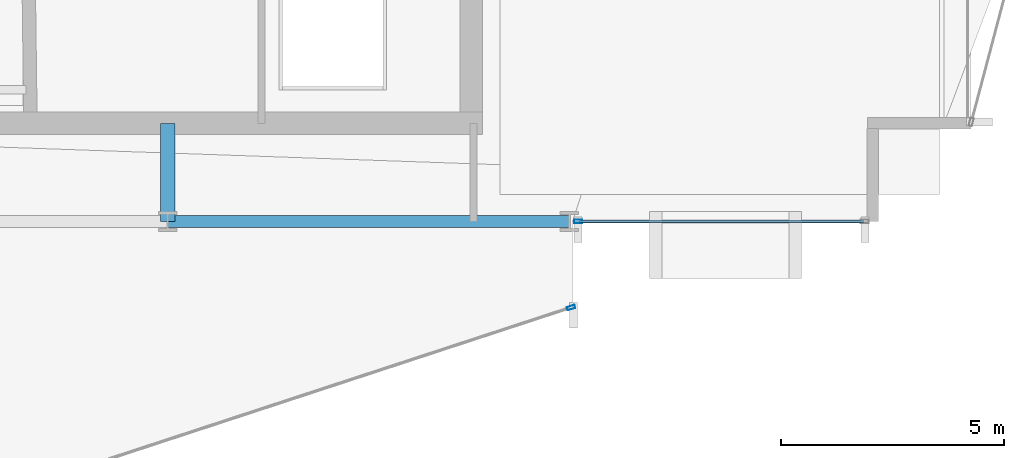
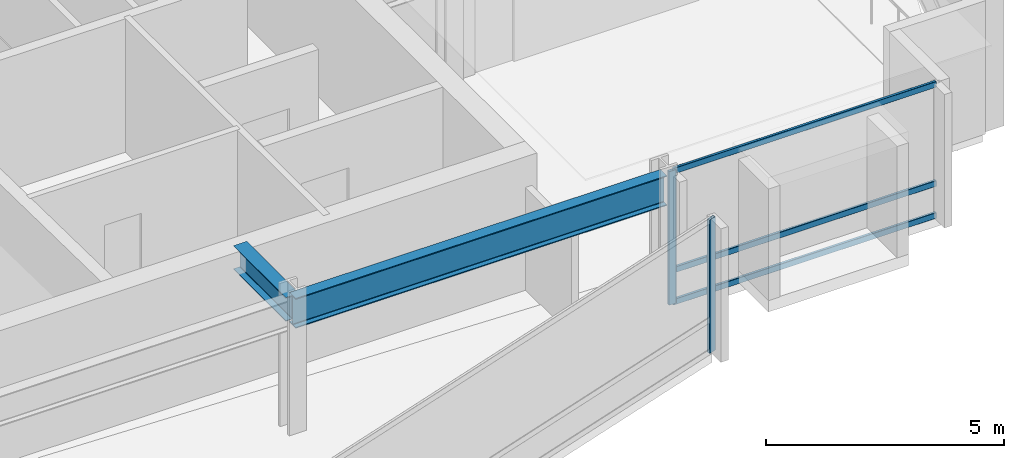
# One storey, part 10 of 28: 5 members, 2 beams, 2 elements without a shape of their own.
"""IFC4 building model written with IfcOpenShell, lengths in metres."""

from ifc_helpers import new_model, si_unit, direction, frame, origin, origin_2d, place, context, subcontext, project, spatial, hollow_rectangle, i_section, extrude, material, layer, layer_set, material_profile, profile_set, type_object, element, aggregate, save


model = new_model("IFC4")

# Units and contexts
model_context = context("Model", 3, precision=1e-05, world=origin(), true_north=direction((0.0, 1.0)))
body_context = subcontext(model_context, "Body", "Model", "MODEL_VIEW")
ifc_project = project(units=[si_unit("LENGTHUNIT", "METRE"), si_unit("AREAUNIT", "SQUARE_METRE"), si_unit("VOLUMEUNIT", "CUBIC_METRE"), si_unit("PLANEANGLEUNIT", "RADIAN"), si_unit("MASSUNIT", "GRAM", prefix="KILO")], contexts=[model_context])

# Site, building, storey
site_placement = place(None, origin())
site = spatial("IfcSite", under=ifc_project, at=site_placement, CompositionType="ELEMENT")
building_placement = place(site_placement, origin())
building = spatial("IfcBuilding", under=site, at=building_placement, Name="Solvaryn Broadcast Tower", CompositionType="ELEMENT")
storey_placement = place(building_placement, frame((0.0, 0.0, 132.199951171875)))
storey = spatial("IfcBuildingStorey", under=building, at=storey_placement, Name="L32", CompositionType="ELEMENT", Elevation=132.199951171875)

# Beams
ifc_material_1 = material(Name="Steel ASTM A992 Grade 50", Category="steel")
ifc_material_profile_1 = material_profile(ifc_material_1, i_section(OverallWidth=0.323974609375, OverallDepth=0.611083984375, WebThickness=0.0126953125, FlangeThickness=0.01904296875, FilletRadius=0.014892578125, at=origin_2d()))
ifc_profile_set_1 = profile_set([ifc_material_profile_1], Name="Steel ASTM A992 Grade 50")
beam_type_1 = type_object("IfcBeamType", Name="BM-B1-W24X104", PredefinedType="BEAM", material=ifc_profile_set_1)
beam_1_placement = place(storey_placement, frame((36.0, 9.0, 3.114501953125), z_axis=(0.0, 1.0, 0.0), x_axis=(-1.0, 0.0, 0.0)))
element("IfcBeam", 1, at=beam_1_placement, inside=storey, type_object=beam_type_1, Name="L32 Core Tie Beam CTE1", PredefinedType="BEAM", context=body_context, shape_type="SweptSolid", body=[
    extrude(i_section(OverallWidth=0.323974609375, OverallDepth=0.611083984375, WebThickness=0.0126953125, FlangeThickness=0.01904296875, FilletRadius=0.014892578125, at=origin_2d()), origin(), (0.0, 0.0, 1.0), 2.199951171875),
])
ifc_material_2 = material(Name="Steel ASTM A992 Grade 50", Category="steel")
ifc_material_profile_2 = material_profile(ifc_material_2, i_section(OverallWidth=0.26708984375, OverallDepth=0.76611328125, WebThickness=0.014892578125, FlangeThickness=0.023681640625, FilletRadius=0.01806640625, at=origin_2d()))
ifc_profile_set_2 = profile_set([ifc_material_profile_2], Name="Steel ASTM A992 Grade 50")
beam_type_2 = type_object("IfcBeamType", Name="BM-SP2-W30X124", PredefinedType="USERDEFINED", material=ifc_profile_set_2)
beam_2_placement = place(storey_placement, frame((36.0, 9.0, 3.037109375), z_axis=(1.0, 0.0, 0.0), x_axis=(0.0, 1.0, 0.0)))
element("IfcBeam", 2, at=beam_2_placement, inside=storey, type_object=beam_type_2, Name="L32 Spandrel Beam X (36-45 @ Y=9)", ObjectType="SPANDREL", PredefinedType="USERDEFINED", context=body_context, shape_type="SweptSolid", body=[
    extrude(i_section(OverallWidth=0.26708984375, OverallDepth=0.76611328125, WebThickness=0.014892578125, FlangeThickness=0.023681640625, FilletRadius=0.01806640625, at=origin_2d()), origin(), (0.0, 0.0, 1.0), 9.0),
])

# Curtain wall, member
ifc_material_3 = material(Name="Aluminium and Terracotta Unitised Curtain Wall", Category="masonry")
ifc_layer = layer(ifc_material_3, 0.199951171875)
ifc_layer_set = layer_set([ifc_layer], Name="CW-SYS2-LOWMID")
curtain_wall_type = type_object("IfcCurtainWallType", Name="CW-SYS2-LOWMID", PredefinedType="NOTDEFINED", material=ifc_layer_set)
curtain_wall_1_placement = place(storey_placement, origin())
curtain_wall_1 = element("IfcCurtainWall", 3, at=curtain_wall_1_placement, inside=storey, type_object=curtain_wall_type, Name="L32 Curtain Wall DR4", PredefinedType="NOTDEFINED")
ifc_material_4 = material(Name="Anodised Aluminium 6063-T6", Category="aluminium")
ifc_material_profile_3 = material_profile(ifc_material_4, hollow_rectangle(XDim=0.074951171875, YDim=0.179931640625, WallThickness=0.00390625, InnerFilletRadius=0.00390625, OuterFilletRadius=0.008056640625, at=origin_2d()))
ifc_profile_set_3 = profile_set([ifc_material_profile_3], Name="Anodised Aluminium 6063-T6")
member_type_1 = type_object("IfcMemberType", Name="CW-MUL-180", PredefinedType="MULLION", material=ifc_profile_set_3)
member_1_placement = place(storey_placement, frame((45.03857421875, 7.069580078125, 0.0), z_axis=(0.0, 0.0, 1.0), x_axis=(-0.311646057547, 0.950198260794, 0.0)))
member_1 = element("IfcMember", 4, at=member_1_placement, type_object=member_type_1, Name="CWS2 mullion 2", PredefinedType="MULLION", context=body_context, shape_type="SweptSolid", body=[
    extrude(hollow_rectangle(XDim=0.074951171875, YDim=0.179931640625, WallThickness=0.00390625, InnerFilletRadius=0.00390625, OuterFilletRadius=0.008056640625, at=origin_2d()), origin(), (0.0, 0.0, 1.0), 3.420166015625),
])
aggregate(curtain_wall_1, [member_1])

# Curtain wall, members
curtain_wall_2_placement = place(storey_placement, origin())
curtain_wall_2 = element("IfcCurtainWall", 5, at=curtain_wall_2_placement, inside=storey, type_object=curtain_wall_type, Name="L32 Curtain Wall S2", PredefinedType="NOTDEFINED")
member_2_placement = place(storey_placement, frame((45.197021484375, 9.0, 0.0), z_axis=(0.0, 0.0, 1.0), x_axis=(0.0, 1.0, 0.0)))
member_2 = element("IfcMember", 6, at=member_2_placement, type_object=member_type_1, Name="CWS2 mullion 1", PredefinedType="MULLION", context=body_context, shape_type="SweptSolid", body=[
    extrude(hollow_rectangle(XDim=0.074951171875, YDim=0.179931640625, WallThickness=0.00390625, InnerFilletRadius=0.00390625, OuterFilletRadius=0.008056640625, at=origin_2d()), origin(), (0.0, 0.0, 1.0), 3.420166015625),
])
ifc_material_5 = material(Name="Anodised Aluminium 6063-T6", Category="aluminium")
ifc_material_profile_4 = material_profile(ifc_material_5, hollow_rectangle(XDim=0.06494140625, YDim=0.14990234375, WallThickness=0.00390625, InnerFilletRadius=0.00390625, OuterFilletRadius=0.008056640625, at=origin_2d()))
ifc_profile_set_4 = profile_set([ifc_material_profile_4], Name="Anodised Aluminium 6063-T6")
member_type_2 = type_object("IfcMemberType", Name="CW-TRN-150", PredefinedType="USERDEFINED", material=ifc_profile_set_4)
member_3_placement = place(storey_placement, frame((45.22705078125, 9.0, 0.030029296875), z_axis=(1.0, 0.0, 0.0), x_axis=(0.0, 1.0, 0.0)))
member_3 = element("IfcMember", 7, at=member_3_placement, type_object=member_type_2, Name="CWS2 transom 1.1", ObjectType="TRANSOM", PredefinedType="USERDEFINED", context=body_context, shape_type="SweptSolid", body=[
    extrude(hollow_rectangle(XDim=0.06494140625, YDim=0.14990234375, WallThickness=0.00390625, InnerFilletRadius=0.00390625, OuterFilletRadius=0.008056640625, at=origin_2d()), origin(), (0.0, 0.0, 1.0), 6.363037109375),
])
member_4_placement = place(storey_placement, frame((45.22705078125, 9.0, 0.85009765625), z_axis=(1.0, 0.0, 0.0), x_axis=(0.0, 1.0, 0.0)))
member_4 = element("IfcMember", 8, at=member_4_placement, type_object=member_type_2, Name="CWS2 transom 1.2", ObjectType="TRANSOM", PredefinedType="USERDEFINED", context=body_context, shape_type="SweptSolid", body=[
    extrude(hollow_rectangle(XDim=0.06494140625, YDim=0.14990234375, WallThickness=0.00390625, InnerFilletRadius=0.00390625, OuterFilletRadius=0.008056640625, at=origin_2d()), origin(), (0.0, 0.0, 1.0), 6.363037109375),
])
member_5_placement = place(storey_placement, frame((45.22705078125, 9.0, 3.39013671875), z_axis=(1.0, 0.0, 0.0), x_axis=(0.0, 1.0, 0.0)))
member_5 = element("IfcMember", 9, at=member_5_placement, type_object=member_type_2, Name="CWS2 transom 1.3", ObjectType="TRANSOM", PredefinedType="USERDEFINED", context=body_context, shape_type="SweptSolid", body=[
    extrude(hollow_rectangle(XDim=0.06494140625, YDim=0.14990234375, WallThickness=0.00390625, InnerFilletRadius=0.00390625, OuterFilletRadius=0.008056640625, at=origin_2d()), origin(), (0.0, 0.0, 1.0), 6.363037109375),
])
aggregate(curtain_wall_2, [member_2, member_3, member_4, member_5])

save(model, "model.ifc")
